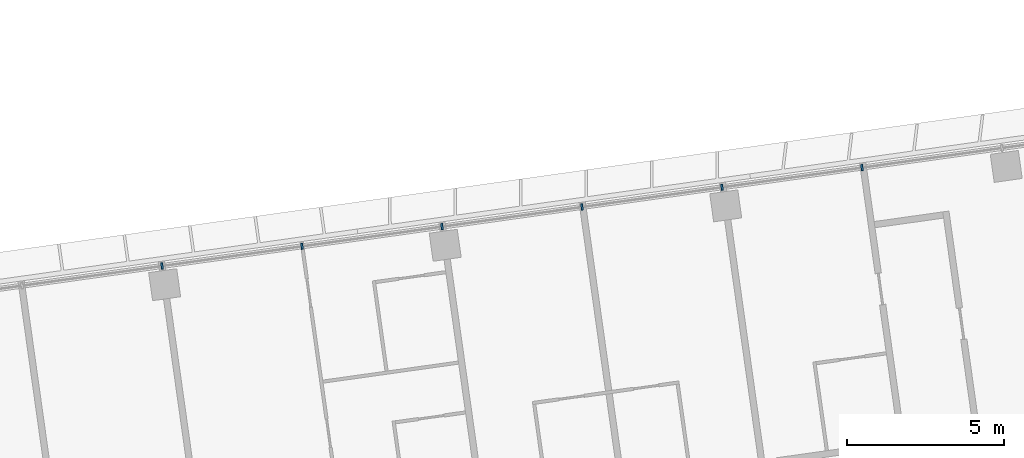
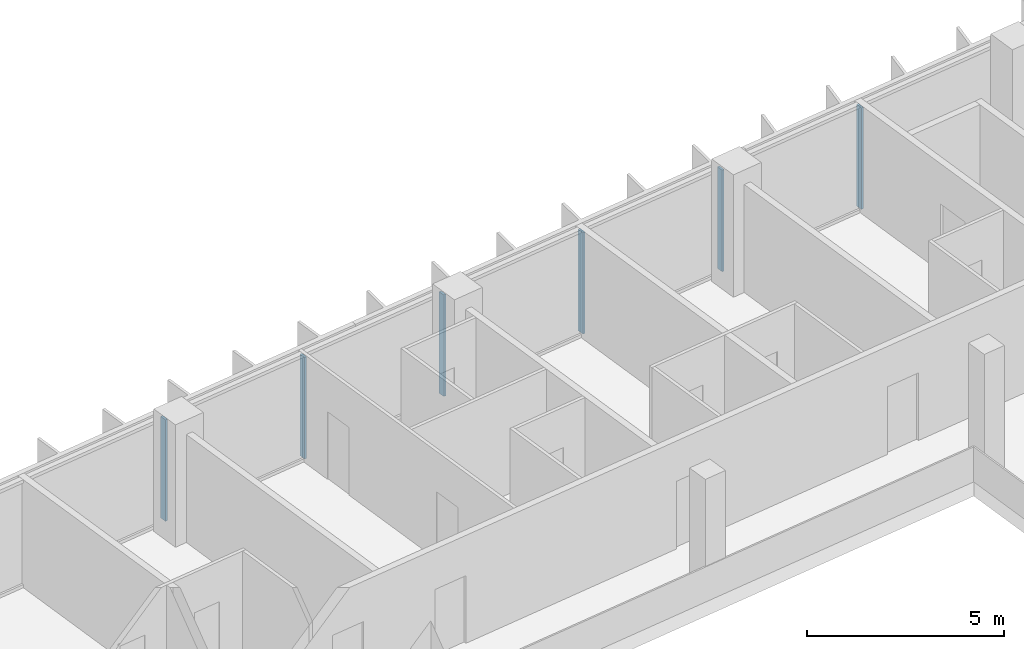
# One storey, part 10 of 26: 6 members, 1 element without a shape of its own.
"""IFC4 building model written with IfcOpenShell, lengths in metres."""

import ifcopenshell
import ifcopenshell.guid

model = None  # the IFC model being written
_history = None  # IfcOwnerHistory: only IFC2X3 demands one
_inside = {}  # id of a spatial element -> (the spatial element, [elements in it])
_under = {}  # id of a project, library or spatial element -> (it, [spatial elements below it])
_declared = {}  # id of a project -> (the project, [libraries it declares])
_typed = {}  # id of a type object -> (the type object, [elements of that type])
_made_of = {}  # id of a material, layer set ... -> (it, [elements and type objects made of it])


def new_model(schema):
    """Start an empty IFC model of exactly this schema.

    Asked for "IFC4X3", IfcOpenShell would pick the latest addendum, in which some entities
    have other attributes; the version numbers below select the first issue.
    IFC2X3 requires an IfcOwnerHistory on every rooted entity: one is made here for all.
    """
    global model, _history
    if schema == "IFC4X3":
        model = ifcopenshell.file(schema_version=(4, 3, 0, 0))
    else:
        model = ifcopenshell.file(schema=schema)
    _inside.clear()
    _under.clear()
    _declared.clear()
    _typed.clear()
    _made_of.clear()
    _history = None
    if model.schema == "IFC2X3":
        org = make("IfcOrganization", Name="unknown")
        user = make(
            "IfcPersonAndOrganization",
            ThePerson=make("IfcPerson", FamilyName="unknown"),
            TheOrganization=org,
        )
        app = make(
            "IfcApplication",
            ApplicationDeveloper=org,
            Version="unknown",
            ApplicationFullName="unknown",
            ApplicationIdentifier="unknown",
        )
        _history = make(
            "IfcOwnerHistory",
            OwningUser=user,
            OwningApplication=app,
            ChangeAction="ADDED",
            CreationDate=0,
        )
    return model


def make(cls, **values):
    """One entity of the class cls with the attributes given. An attribute that is None is left unset."""
    return model.create_entity(
        cls, **{name: value for name, value in values.items() if value is not None}
    )


def rooted(cls, **values):
    """An entity with a GlobalId (a new one), such as an element, a storey or a relation."""
    return make(cls, GlobalId=ifcopenshell.guid.new(), OwnerHistory=_history, **values)


def si_unit(unit_type, name, prefix=None):
    """IfcSIUnit, for example si_unit("LENGTHUNIT", "METRE", prefix="MILLI")."""
    return make("IfcSIUnit", UnitType=unit_type, Prefix=prefix, Name=name)


def assignment(units):
    """IfcUnitAssignment: the units of a project."""
    return None if units is None else make("IfcUnitAssignment", Units=units)


def point(xyz):
    """IfcCartesianPoint."""
    return None if xyz is None else make("IfcCartesianPoint", Coordinates=xyz)


def direction(xyz):
    """IfcDirection."""
    return None if xyz is None else make("IfcDirection", DirectionRatios=xyz)


def frame(location, z_axis=None, x_axis=None):
    """IfcAxis2Placement3D, a coordinate frame: its origin and axes. An axis left out is left unset."""
    return make(
        "IfcAxis2Placement3D",
        Location=point(location),
        Axis=direction(z_axis),
        RefDirection=direction(x_axis),
    )


def frame_2d(location, x_axis=None):
    """IfcAxis2Placement2D, a coordinate frame in the plane: its origin and x axis."""
    return make(
        "IfcAxis2Placement2D", Location=point(location), RefDirection=direction(x_axis)
    )


def origin():
    """The frame at (0, 0, 0) with its axes left unset."""
    return frame((0.0, 0.0, 0.0))


def origin_2d():
    """The frame at (0, 0) in the plane with its x axis left unset."""
    return frame_2d((0.0, 0.0))


def place(relative_to, where):
    """IfcLocalPlacement: puts the frame where relative to a parent placement (None: the world)."""
    return make(
        "IfcLocalPlacement", PlacementRelTo=relative_to, RelativePlacement=where
    )


def context(
    kind, dimensions, precision=None, world=None, true_north=None, identifier=None
):
    """IfcGeometricRepresentationContext, for example the 3D "Model" context."""
    return make(
        "IfcGeometricRepresentationContext",
        ContextIdentifier=identifier,
        ContextType=kind,
        CoordinateSpaceDimension=dimensions,
        Precision=precision,
        WorldCoordinateSystem=world,
        TrueNorth=true_north,
    )


def subcontext(parent, identifier, kind, view, scale=None):
    """IfcGeometricRepresentationSubContext, for example "Body" below "Model"."""
    return make(
        "IfcGeometricRepresentationSubContext",
        ContextIdentifier=identifier,
        ContextType=kind,
        ParentContext=parent,
        TargetScale=scale,
        TargetView=view,
    )


def project(units=None, contexts=None):
    """IfcProject with its units and contexts."""
    return rooted(
        "IfcProject",
        Name="project",
        RepresentationContexts=contexts,
        UnitsInContext=assignment(units),
    )


def spatial(cls, under=None, at=None, **own):
    """A site, building, storey or space (cls), placed at a placement, below another one or the project."""
    s = rooted(cls, ObjectPlacement=at, **own)
    if under is not None:
        _under.setdefault(under.id(), (under, []))[1].append(s)
    return s


def profile(cls, at=None, kind="AREA", **sizes):
    """A parametric profile (cls). Its sizes go by their IFC names, for example OverallWidth=200.0."""
    return make(cls, ProfileType=kind, Position=at, **sizes)


def rectangle(**sizes):
    """IfcRectangleProfileDef."""
    return profile("IfcRectangleProfileDef", **sizes)


def extrude(swept, where, along, depth):
    """IfcExtrudedAreaSolid: the profile swept, set in the frame where, extruded along a direction by depth."""
    return make(
        "IfcExtrudedAreaSolid",
        SweptArea=swept,
        Position=where,
        ExtrudedDirection=direction(along),
        Depth=depth,
    )


def shape(context_of_items, identifier, shape_type, items):
    """IfcShapeRepresentation: the items that make up one representation, for example the "Body"."""
    return make(
        "IfcShapeRepresentation",
        ContextOfItems=context_of_items,
        RepresentationIdentifier=identifier,
        RepresentationType=shape_type,
        Items=items,
    )


def material(Name=None, Category=None):
    """IfcMaterial."""
    return make("IfcMaterial", Name=Name, Category=Category)


def material_profile(
    of_material, cross_section, Name=None, Category=None, Priority=None
):
    """IfcMaterialProfile: a cross section and its material."""
    return make(
        "IfcMaterialProfile",
        Name=Name,
        Material=of_material,
        Profile=cross_section,
        Priority=Priority,
        Category=Category,
    )


def profile_set(profiles, Name=None, composite=None):
    """IfcMaterialProfileSet."""
    return make(
        "IfcMaterialProfileSet",
        Name=Name,
        MaterialProfiles=profiles,
        CompositeProfile=composite,
    )


def made_of(thing, what):
    """Note that an element or type object is made of a material, layer set ...; save() writes the relation."""
    if what is not None:
        _made_of.setdefault(what.id(), (what, []))[1].append(thing)
    return thing


def type_object(cls, material=None, **own):
    """A type object (cls), such as IfcWallType, which elements share."""
    return made_of(rooted(cls, **own), material)


def element(
    cls,
    number,
    at=None,
    inside=None,
    cuts=None,
    type_object=None,
    material=None,
    context=None,
    identifier="Body",
    shape_type=None,
    held_by="IfcProductDefinitionShape",
    body=None,
    shapes=None,
    **own,
):
    """One element of the class cls, such as IfcWall. Its Tag is "e" and its number.

    at: its placement. inside: the storey or other place that contains it. cuts: it is an
    opening in that element (IfcRelVoidsElement). A single representation is given by context,
    identifier, shape_type and body (its items); several are given by shapes. held_by: the class
    of the entity that holds the representations. save() writes the other relations.
    """
    e = rooted(cls, Tag="e%d" % number, ObjectPlacement=at, **own)
    if body is not None:
        shapes = [shape(context, identifier, shape_type, body)]
    if shapes is not None:
        e.Representation = make(held_by, Representations=shapes)
    if inside is not None:
        _inside.setdefault(inside.id(), (inside, []))[1].append(e)
    if cuts is not None:
        rooted(
            "IfcRelVoidsElement", RelatingBuildingElement=cuts, RelatedOpeningElement=e
        )
    if type_object is not None:
        _typed.setdefault(type_object.id(), (type_object, []))[1].append(e)
    return made_of(e, material)


def aggregate(whole, parts):
    """IfcRelAggregates: a whole, such as a stair, and the parts it consists of."""
    return rooted("IfcRelAggregates", RelatingObject=whole, RelatedObjects=parts)


def save(model, path):
    """Write the relations noted so far, then the file.

    IfcRelAggregates (storeys below a building ...), IfcRelContainedInSpatialStructure (elements
    in a storey), IfcRelDefinesByType, IfcRelAssociatesMaterial and IfcRelDeclares: one each for
    every whole, place, type object, material and project.
    """
    for whole, parts in _under.values():
        aggregate(whole, parts)
    for where, things in _inside.values():
        rooted(
            "IfcRelContainedInSpatialStructure",
            RelatedElements=things,
            RelatingStructure=where,
        )
    for kind, things in _typed.values():
        rooted("IfcRelDefinesByType", RelatedObjects=things, RelatingType=kind)
    for what, things in _made_of.values():
        rooted("IfcRelAssociatesMaterial", RelatedObjects=things, RelatingMaterial=what)
    for by, libraries in _declared.values():
        rooted("IfcRelDeclares", RelatingContext=by, RelatedDefinitions=libraries)
    model.write(path)


model = new_model("IFC4")

# Units and contexts
model_context = context("Model", 3, precision=1e-05, world=origin(), true_north=direction((0.0, 1.0)))
body_context = subcontext(model_context, "Body", "Model", "MODEL_VIEW")
ifc_project = project(units=[si_unit("LENGTHUNIT", "METRE"), si_unit("AREAUNIT", "SQUARE_METRE"), si_unit("VOLUMEUNIT", "CUBIC_METRE"), si_unit("PLANEANGLEUNIT", "RADIAN"), si_unit("MASSUNIT", "GRAM", prefix="KILO")], contexts=[model_context])

# Site, building, storey
site_placement = place(None, origin())
site = spatial("IfcSite", under=ifc_project, at=site_placement, CompositionType="ELEMENT")
building_placement = place(site_placement, origin())
building = spatial("IfcBuilding", under=site, at=building_placement, Name="Mirante Cascada Hotel Towers", CompositionType="ELEMENT")
storey_placement = place(building_placement, frame((0.0, 0.0, 106.3)))
storey = spatial("IfcBuildingStorey", under=building, at=storey_placement, Name="L23", CompositionType="ELEMENT", Elevation=106.3)

# Curtain wall, members
ifc_material_1 = material(Name="Aluminium mullion and transom frame with clear laminated glass", Category="aluminium")
curtain_wall_type = type_object("IfcCurtainWallType", Name="Ribbon curtain wall ECW1", PredefinedType="NOTDEFINED", material=ifc_material_1)
curtain_wall_placement = place(storey_placement, origin())
curtain_wall = element("IfcCurtainWall", 1, at=curtain_wall_placement, inside=storey, type_object=curtain_wall_type, Name="Front ribbon wall T2 L23", PredefinedType="NOTDEFINED")
ifc_material_2 = material(Name="Anodised aluminium extrusion", Category="aluminium")
ifc_material_profile = material_profile(ifc_material_2, rectangle(XDim=0.2, YDim=0.065, at=origin_2d()), Name="ECW1 MULLION 65x200")
ifc_profile_set = profile_set([ifc_material_profile], Name="Anodised aluminium extrusion")
member_type = type_object("IfcMemberType", Name="ECW1 mullion 65x200", PredefinedType="MULLION", material=ifc_profile_set)
member_1_placement = place(storey_placement, frame((85.2633, 24.802, 0.1), z_axis=(0.0, 0.0, 1.0), x_axis=(0.1391731, -0.9902681, 0.0)))
member_1 = element("IfcMember", 2, at=member_1_placement, type_object=member_type, Name="ECW1 mullion 3", PredefinedType="MULLION", context=body_context, shape_type="SweptSolid", body=[
    extrude(rectangle(XDim=0.2, YDim=0.065, at=origin_2d()), origin(), (0.0, 0.0, 1.0), 3.15),
])
member_2_placement = place(storey_placement, frame((80.8159, 24.177, 0.1), z_axis=(0.0, 0.0, 1.0), x_axis=(0.1391731, -0.9902681, 0.0)))
member_2 = element("IfcMember", 3, at=member_2_placement, type_object=member_type, Name="ECW1 mullion 4", PredefinedType="MULLION", context=body_context, shape_type="SweptSolid", body=[
    extrude(rectangle(XDim=0.2, YDim=0.065, at=origin_2d()), origin(), (0.0, 0.0, 1.0), 3.15),
])
member_3_placement = place(storey_placement, frame((76.3685, 23.5519, 0.1), z_axis=(0.0, 0.0, 1.0), x_axis=(0.1391731, -0.9902681, 0.0)))
member_3 = element("IfcMember", 4, at=member_3_placement, type_object=member_type, Name="ECW1 mullion 5", PredefinedType="MULLION", context=body_context, shape_type="SweptSolid", body=[
    extrude(rectangle(XDim=0.2, YDim=0.065, at=origin_2d()), origin(), (0.0, 0.0, 1.0), 3.15),
])
member_4_placement = place(storey_placement, frame((71.9211, 22.9269, 0.1), z_axis=(0.0, 0.0, 1.0), x_axis=(0.1391731, -0.9902681, 0.0)))
member_4 = element("IfcMember", 5, at=member_4_placement, type_object=member_type, Name="ECW1 mullion 6", PredefinedType="MULLION", context=body_context, shape_type="SweptSolid", body=[
    extrude(rectangle(XDim=0.2, YDim=0.065, at=origin_2d()), origin(), (0.0, 0.0, 1.0), 3.15),
])
member_5_placement = place(storey_placement, frame((67.4737, 22.3018, 0.1), z_axis=(0.0, 0.0, 1.0), x_axis=(0.1391731, -0.9902681, 0.0)))
member_5 = element("IfcMember", 6, at=member_5_placement, type_object=member_type, Name="ECW1 mullion 7", PredefinedType="MULLION", context=body_context, shape_type="SweptSolid", body=[
    extrude(rectangle(XDim=0.2, YDim=0.065, at=origin_2d()), origin(), (0.0, 0.0, 1.0), 3.15),
])
member_6_placement = place(storey_placement, frame((63.0262, 21.6768, 0.1), z_axis=(0.0, 0.0, 1.0), x_axis=(0.1391731, -0.9902681, 0.0)))
member_6 = element("IfcMember", 7, at=member_6_placement, type_object=member_type, Name="ECW1 mullion 8", PredefinedType="MULLION", context=body_context, shape_type="SweptSolid", body=[
    extrude(rectangle(XDim=0.2, YDim=0.065, at=origin_2d()), origin(), (0.0, 0.0, 1.0), 3.15),
])
aggregate(curtain_wall, [member_1, member_2, member_3, member_4, member_5, member_6])

save(model, "model.ifc")
